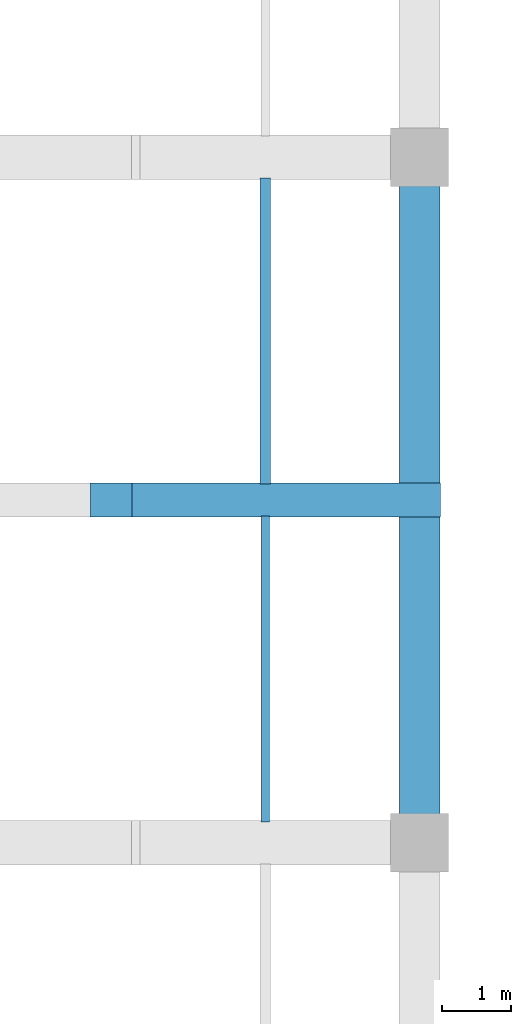
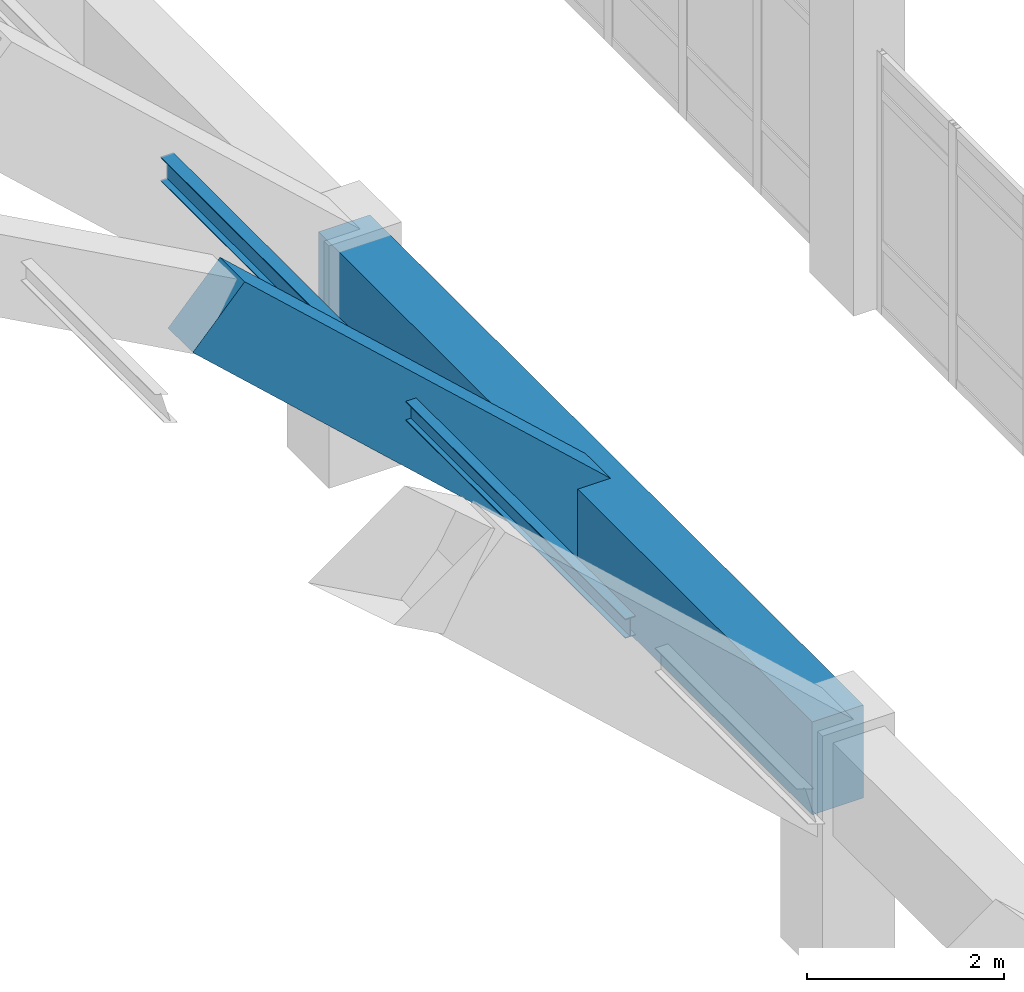
# One storey, part 78 of 111: 2 beams, 2 members.
"""IFC4 building model written with IfcOpenShell, lengths in metres."""

from ifc_helpers import new_model, si_unit, direction, frame, origin, origin_2d, place, context, subcontext, project, spatial, rectangle, i_section, extrude, material, material_profile, profile_set, type_object, element, save


model = new_model("IFC4")

# Units and contexts
model_context = context("Model", 3, precision=1e-05, world=origin(), true_north=direction((0.0, 1.0)))
body_context = subcontext(model_context, "Body", "Model", "MODEL_VIEW")
ifc_project = project(units=[si_unit("LENGTHUNIT", "METRE"), si_unit("AREAUNIT", "SQUARE_METRE"), si_unit("VOLUMEUNIT", "CUBIC_METRE"), si_unit("PLANEANGLEUNIT", "RADIAN"), si_unit("MASSUNIT", "GRAM", prefix="KILO")], contexts=[model_context])

# Site, building, storey
site_placement = place(None, origin())
site = spatial("IfcSite", under=ifc_project, at=site_placement, CompositionType="ELEMENT")
building_placement = place(site_placement, origin())
building = spatial("IfcBuilding", under=site, at=building_placement, Name="Mersad Railyard Sports Hall", CompositionType="ELEMENT")
storey_placement = place(building_placement, frame((0.0, 0.0, 9.0)))
storey = spatial("IfcBuildingStorey", under=building, at=storey_placement, Name="L02", CompositionType="ELEMENT", Elevation=9.0)

# Beams
ifc_material_1 = material(Name="Concrete C50/60", Category="concrete")
ifc_material_profile_1 = material_profile(ifc_material_1, rectangle(XDim=0.60009765625, YDim=1.14990234375, at=origin_2d()), Name="RC 600x1150")
ifc_profile_set_1 = profile_set([ifc_material_profile_1], Name="Concrete C50/60")
beam_type_1 = type_object("IfcBeamType", Name="STR-BM-B05", PredefinedType="BEAM", material=ifc_profile_set_1)
beam_1_placement = place(storey_placement, frame((173.0, 43.5, 2.300048828125), z_axis=(0.0, 1.0, 0.0), x_axis=(-1.0, 0.0, 0.0)))
element("IfcBeam", 1, at=beam_1_placement, inside=storey, type_object=beam_type_1, Name="Beam B05-0714", PredefinedType="BEAM", context=body_context, shape_type="SweptSolid", body=[
    extrude(rectangle(XDim=0.60009765625, YDim=1.14990234375, at=origin_2d()), origin(), (0.0, 0.0, 1.0), 10.0),
])
ifc_material_2 = material(Name="Architectural concrete C50/60", Category="concrete")
ifc_material_profile_2 = material_profile(ifc_material_2, rectangle(XDim=0.5, YDim=0.89990234375, at=origin_2d()), Name="VR 500x900")
ifc_profile_set_2 = profile_set([ifc_material_profile_2], Name="Architectural concrete C50/60")
beam_type_2 = type_object("IfcBeamType", Name="STR-BM-VR02", PredefinedType="BEAM", material=ifc_profile_set_2)
beam_2_placement = place(storey_placement, frame((168.5, 48.5, 6.47216796875), z_axis=(0.736576611143, 0.0, -0.676354120204), x_axis=(0.0, 1.0, 0.0)))
element("IfcBeam", 2, at=beam_2_placement, inside=storey, type_object=beam_type_2, Name="Beam VR02-0800", PredefinedType="BEAM", context=body_context, shape_type="SweptSolid", body=[
    extrude(rectangle(XDim=0.5, YDim=0.89990234375, at=origin_2d()), origin(), (0.0, 0.0, 1.0), 6.109375),
])

# Members
ifc_material_3 = material(Name="Steel S355", Category="steel")
ifc_material_profile_3 = material_profile(ifc_material_3, i_section(OverallWidth=0.1201171875, OverallDepth=0.239990234375, WebThickness=0.006103515625, FlangeThickness=0.009765625, at=origin_2d()), Name="IPE 240")
ifc_profile_set_3 = profile_set([ifc_material_profile_3], Name="Steel S355")
member_type_1 = type_object("IfcMemberType", Name="STR-MEM-PU01", PredefinedType="PURLIN", material=ifc_profile_set_3)
member_1_placement = place(storey_placement, frame((170.75, 43.804931640625, 4.546142578125), z_axis=(0.0, 1.0, 0.0), x_axis=(-1.0, 0.0, 0.0)))
element("IfcMember", 3, at=member_1_placement, inside=storey, type_object=member_type_1, Name="Structural member PU01-0176", PredefinedType="PURLIN", context=body_context, shape_type="SweptSolid", body=[
    extrude(i_section(OverallWidth=0.1201171875, OverallDepth=0.239990234375, WebThickness=0.006103515625, FlangeThickness=0.009765625, at=origin_2d()), origin(), (0.0, 0.0, 1.0), 4.465087890625),
])
ifc_material_profile_4 = material_profile(ifc_material_3, i_section(OverallWidth=0.14990234375, OverallDepth=0.300048828125, WebThickness=0.007080078125, FlangeThickness=0.0107421875, at=origin_2d()), Name="IPE 300")
ifc_profile_set_4 = profile_set([ifc_material_profile_4], Name="Steel S355")
member_type_2 = type_object("IfcMemberType", Name="STR-MEM-PU02", PredefinedType="PURLIN", material=ifc_profile_set_4)
member_2_placement = place(storey_placement, frame((170.75, 48.72998046875, 4.546142578125), z_axis=(0.0, 1.0, 0.0), x_axis=(-1.0, 0.0, 0.0)))
element("IfcMember", 4, at=member_2_placement, inside=storey, type_object=member_type_2, Name="Structural member PU02-0177", PredefinedType="PURLIN", context=body_context, shape_type="SweptSolid", body=[
    extrude(i_section(OverallWidth=0.14990234375, OverallDepth=0.300048828125, WebThickness=0.007080078125, FlangeThickness=0.0107421875, at=origin_2d()), origin(), (0.0, 0.0, 1.0), 4.465087890625),
])

save(model, "model.ifc")
